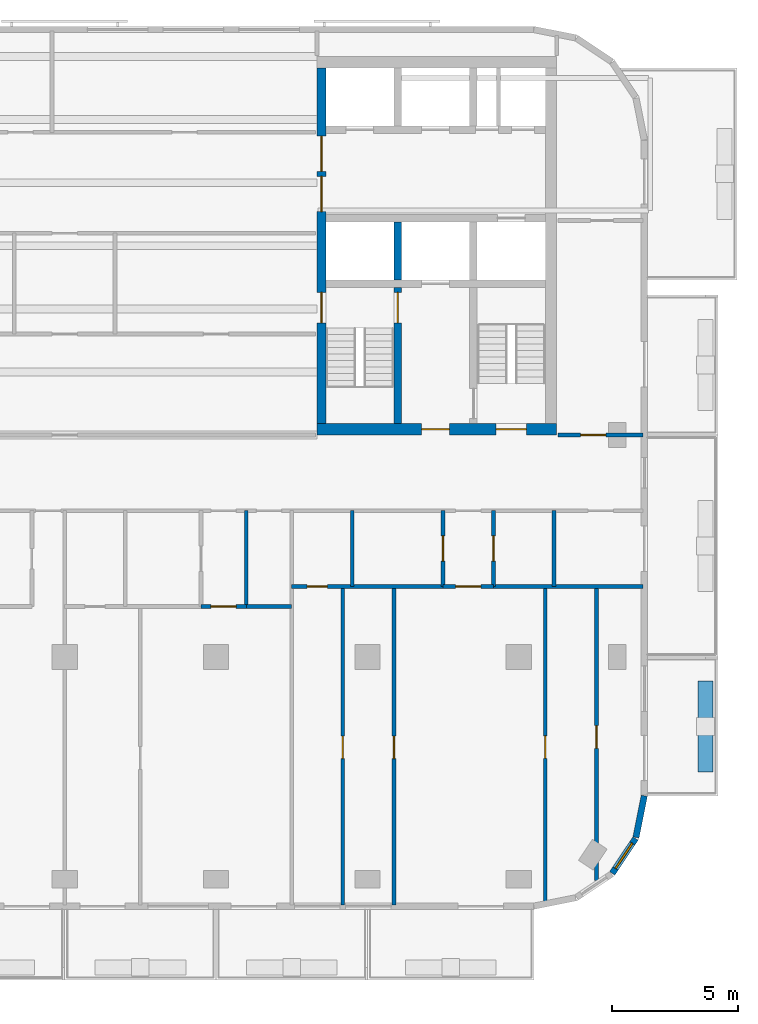
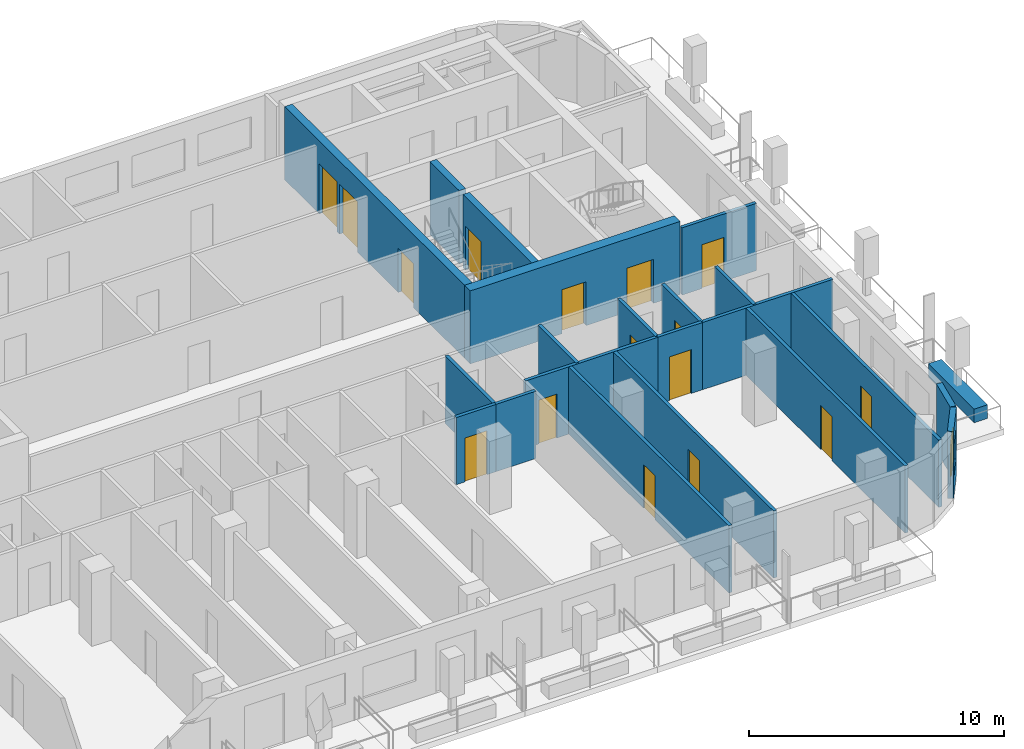
# One storey, part 5 of 11: 22 walls, 16 doors, 1 window, 17 openings.
"""IFC4 building model written with IfcOpenShell, lengths in metres."""

from ifc_helpers import new_model, si_unit, direction, frame, frame_2d, origin, place, context, subcontext, project, spatial, rectangle, extrude, material, layer, layer_set, type_object, element, fill, save


model = new_model("IFC4")

# Units and contexts
model_context = context("Model", 3, precision=1e-05, world=origin(), true_north=direction((0.0, 1.0)))
body_context = subcontext(model_context, "Body", "Model", "MODEL_VIEW")
ifc_project = project(units=[si_unit("LENGTHUNIT", "METRE"), si_unit("AREAUNIT", "SQUARE_METRE"), si_unit("VOLUMEUNIT", "CUBIC_METRE"), si_unit("PLANEANGLEUNIT", "RADIAN"), si_unit("MASSUNIT", "GRAM", prefix="KILO")], contexts=[model_context])

# Site, building, storey
site_placement = place(None, origin())
site = spatial("IfcSite", under=ifc_project, at=site_placement, CompositionType="ELEMENT")
building_placement = place(site_placement, origin())
building = spatial("IfcBuilding", under=site, at=building_placement, Name="Torana Hotel and Residences", CompositionType="ELEMENT")
storey_placement = place(building_placement, frame((0.0, 0.0, 298.10009765625)))
storey = spatial("IfcBuildingStorey", under=building, at=storey_placement, Name="L79", CompositionType="ELEMENT", Elevation=298.10009765625)

# Wall
ifc_material_1 = material(Name="Concrete C60/75", Category="concrete")
ifc_layer_1 = layer(ifc_material_1, 0.300048828125)
ifc_layer_set_1 = layer_set([ifc_layer_1], Name="CORE WALL 300 C60/75")
wall_type_1 = type_object("IfcWallType", Name="CORE WALL 300 C60/75", PredefinedType="SHEAR", material=ifc_layer_set_1)
wall_1_placement = place(storey_placement, frame((13.199951171875, -8.85009765625, 0.0), z_axis=(0.0, 0.0, 1.0), x_axis=(0.0, 1.0, 0.0)))
element("IfcWall", 1, at=wall_1_placement, inside=storey, type_object=wall_type_1, Name="Core wall E x3.05-S", PredefinedType="SHEAR", context=body_context, shape_type="SweptSolid", body=[
    extrude(rectangle(XDim=2.300048828125, YDim=0.300048828125, at=frame_2d((1.14990234375, 0.0))), origin(), (0.0, 0.0, 1.0), 3.5),
])

# Wall, opening, door
wall_2_placement = place(storey_placement, frame((13.199951171875, -14.550048828125, 0.0), z_axis=(0.0, 0.0, 1.0), x_axis=(0.0, 1.0, 0.0)))
wall_2 = element("IfcWall", 2, at=wall_2_placement, inside=storey, type_object=wall_type_1, Name="Core wall E x3.05-band", PredefinedType="SHEAR", context=body_context, shape_type="SweptSolid", body=[
    extrude(rectangle(XDim=5.400146484375, YDim=0.300048828125, at=frame_2d((2.7001953125, 0.0))), origin(), (0.0, 0.0, 1.0), 3.5),
])
opening_1_placement = place(wall_2_placement, frame((4.0, 0.0, 0.0)))
opening_1 = element("IfcOpeningElement", 3, at=opening_1_placement, cuts=wall_2, Name="Opening L79-17", PredefinedType="OPENING", context=body_context, shape_type="SweptSolid", body=[
    extrude(rectangle(XDim=1.199951171875, YDim=2.10009765625, at=frame_2d((0.60009765625, 1.050048828125))), frame((0.0, 0.159912109375, 0.0), z_axis=(0.0, -1.0, 0.0), x_axis=(1.0, 0.0, 0.0)), (0.0, 0.0, 1.0), 0.320068359375),
])
ifc_material_2 = material(Name="Steel S235", Category="steel")
door_type_1 = type_object("IfcDoorType", Name="STAIR FIRE DOOR D3 1200x2100", OperationType="SINGLE_SWING_LEFT", PredefinedType="DOOR", material=ifc_material_2)
door_1_placement = place(opening_1_placement, origin())
door_1 = element("IfcDoor", 4, at=door_1_placement, inside=storey, type_object=door_type_1, Name="Stair-A-lobby door L79", OperationType="SINGLE_SWING_LEFT", OverallHeight=2.10009765625, OverallWidth=1.199951171875, PredefinedType="DOOR", context=body_context, shape_type="SweptSolid", body=[
    extrude(rectangle(XDim=1.199951171875, YDim=2.10009765625, at=frame_2d((0.60009765625, 1.050048828125))), frame((0.0, 0.02490234375, 0.0), z_axis=(0.0, -1.0, 0.0), x_axis=(1.0, 0.0, 0.0)), (0.0, 0.0, 1.0), 0.050048828125),
])
fill(opening_1, door_1)

# Wall, openings, doors
ifc_material_3 = material(Name="Concrete C60/75", Category="concrete")
ifc_layer_2 = layer(ifc_material_3, 0.35009765625)
ifc_layer_set_2 = layer_set([ifc_layer_2], Name="CORE WALL 350 C60/75")
wall_type_2 = type_object("IfcWallType", Name="CORE WALL 350 C60/75", PredefinedType="SHEAR", material=ifc_layer_set_2)
wall_3_placement = place(storey_placement, frame((10.175048828125, -14.550048828125, 0.0), z_axis=(0.0, 0.0, 1.0), x_axis=(0.0, 1.0, 0.0)))
wall_3 = element("IfcWall", 5, at=wall_3_placement, inside=storey, type_object=wall_type_2, Name="Core wall E arch", PredefinedType="SHEAR", context=body_context, shape_type="SweptSolid", body=[
    extrude(rectangle(XDim=14.10009765625, YDim=0.35009765625, at=frame_2d((7.050048828125, 0.0))), origin(), (0.0, 0.0, 1.0), 3.5),
])
opening_2_placement = place(wall_3_placement, frame((8.39990234375, 0.0, 0.0)))
opening_2 = element("IfcOpeningElement", 6, at=opening_2_placement, cuts=wall_3, Name="Opening L79-10", PredefinedType="OPENING", context=body_context, shape_type="SweptSolid", body=[
    extrude(rectangle(XDim=1.39990234375, YDim=2.39990234375, at=frame_2d((0.699951171875, 1.199951171875))), frame((0.0, 0.18505859375, 0.0), z_axis=(0.0, -1.0, 0.0), x_axis=(1.0, 0.0, 0.0)), (0.0, 0.0, 1.0), 0.3701171875),
])
opening_3_placement = place(wall_3_placement, frame((10.0, 0.0, 0.0)))
opening_3 = element("IfcOpeningElement", 7, at=opening_3_placement, cuts=wall_3, Name="Opening L79-11", PredefinedType="OPENING", context=body_context, shape_type="SweptSolid", body=[
    extrude(rectangle(XDim=1.39990234375, YDim=2.39990234375, at=frame_2d((0.699951171875, 1.199951171875))), frame((0.0, 0.18505859375, 0.0), z_axis=(0.0, -1.0, 0.0), x_axis=(1.0, 0.0, 0.0)), (0.0, 0.0, 1.0), 0.3701171875),
])
opening_4_placement = place(wall_3_placement, frame((4.0, 0.0, 0.0)))
opening_4 = element("IfcOpeningElement", 8, at=opening_4_placement, cuts=wall_3, Name="Opening L79-12", PredefinedType="OPENING", context=body_context, shape_type="SweptSolid", body=[
    extrude(rectangle(XDim=1.199951171875, YDim=2.10009765625, at=frame_2d((0.60009765625, 1.050048828125))), frame((0.0, 0.18505859375, 0.0), z_axis=(0.0, -1.0, 0.0), x_axis=(1.0, 0.0, 0.0)), (0.0, 0.0, 1.0), 0.3701171875),
])
ifc_material_4 = material(Name="Steel S235", Category="steel")
door_type_2 = type_object("IfcDoorType", Name="LOBBY FIRE DOOR D4 1400x2400", OperationType="DOUBLE_DOOR_SINGLE_SWING", PredefinedType="DOOR", material=ifc_material_4)
door_2_placement = place(opening_2_placement, origin())
door_2 = element("IfcDoor", 9, at=door_2_placement, inside=storey, type_object=door_type_2, Name="Lobby-1 door L79", OperationType="DOUBLE_DOOR_SINGLE_SWING", OverallHeight=2.39990234375, OverallWidth=1.39990234375, PredefinedType="DOOR", context=body_context, shape_type="SweptSolid", body=[
    extrude(rectangle(XDim=1.39990234375, YDim=2.39990234375, at=frame_2d((0.699951171875, 1.199951171875))), frame((0.0, 0.02490234375, 0.0), z_axis=(0.0, -1.0, 0.0), x_axis=(1.0, 0.0, 0.0)), (0.0, 0.0, 1.0), 0.050048828125),
])
fill(opening_2, door_2)
door_3_placement = place(opening_3_placement, origin())
door_3 = element("IfcDoor", 10, at=door_3_placement, inside=storey, type_object=door_type_2, Name="Lobby-2 door L79", OperationType="DOUBLE_DOOR_SINGLE_SWING", OverallHeight=2.39990234375, OverallWidth=1.39990234375, PredefinedType="DOOR", context=body_context, shape_type="SweptSolid", body=[
    extrude(rectangle(XDim=1.39990234375, YDim=2.39990234375, at=frame_2d((0.699951171875, 1.199951171875))), frame((0.0, 0.02490234375, 0.0), z_axis=(0.0, -1.0, 0.0), x_axis=(1.0, 0.0, 0.0)), (0.0, 0.0, 1.0), 0.050048828125),
])
fill(opening_3, door_3)
door_4_placement = place(opening_4_placement, frame((0.60009765625, 0.0, 0.0), z_axis=(0.0, 0.0, 1.0), x_axis=(-1.0, 0.0, 0.0)))
door_4 = element("IfcDoor", 11, at=door_4_placement, inside=storey, type_object=door_type_1, Name="Stair-A door L79", OperationType="SINGLE_SWING_RIGHT", OverallHeight=2.10009765625, OverallWidth=1.199951171875, PredefinedType="DOOR", context=body_context, shape_type="SweptSolid", body=[
    extrude(rectangle(XDim=1.199951171875, YDim=2.10009765625, at=frame_2d((0.0, 1.050048828125))), frame((0.0, -0.02490234375, 0.0), z_axis=(0.0, 1.0, 0.0), x_axis=(-1.0, 0.0, 0.0)), (0.0, 0.0, 1.0), 0.050048828125),
])
fill(opening_4, door_4)

ifc_material_5 = material(Name="Concrete C60/75", Category="concrete")
ifc_layer_3 = layer(ifc_material_5, 0.449951171875)
ifc_layer_set_3 = layer_set([ifc_layer_3], Name="CORE WALL 450 C60/75")
wall_type_3 = type_object("IfcWallType", Name="CORE WALL 450 C60/75", PredefinedType="SHEAR", material=ifc_layer_set_3)
wall_4_placement = place(storey_placement, frame((10.0, -14.77490234375, 0.0), z_axis=(0.0, 0.0, 1.0), x_axis=(1.0, 0.0, 0.0)))
wall_4 = element("IfcWall", 12, at=wall_4_placement, inside=storey, type_object=wall_type_3, Name="Core wall E front", PredefinedType="SHEAR", context=body_context, shape_type="SweptSolid", body=[
    extrude(rectangle(XDim=9.5, YDim=0.449951171875, at=frame_2d((4.75, 0.0))), origin(), (0.0, 0.0, 1.0), 3.5),
])
opening_5_placement = place(wall_4_placement, frame((7.10009765625, 0.0, 0.0)))
opening_5 = element("IfcOpeningElement", 13, at=opening_5_placement, cuts=wall_4, Name="Opening L79-13", PredefinedType="OPENING", context=body_context, shape_type="SweptSolid", body=[
    extrude(rectangle(XDim=1.199951171875, YDim=2.10009765625, at=frame_2d((0.60009765625, 1.050048828125))), frame((0.0, 0.23486328125, 0.0), z_axis=(0.0, -1.0, 0.0), x_axis=(1.0, 0.0, 0.0)), (0.0, 0.0, 1.0), 0.469970703125),
])
opening_6_placement = place(wall_4_placement, frame((4.14990234375, 0.0, 0.0)))
opening_6 = element("IfcOpeningElement", 14, at=opening_6_placement, cuts=wall_4, Name="Opening L79-14", PredefinedType="OPENING", context=body_context, shape_type="SweptSolid", body=[
    extrude(rectangle(XDim=1.10009765625, YDim=2.10009765625, at=frame_2d((0.550048828125, 1.050048828125))), frame((0.0, 0.23486328125, 0.0), z_axis=(0.0, -1.0, 0.0), x_axis=(1.0, 0.0, 0.0)), (0.0, 0.0, 1.0), 0.469970703125),
])
ifc_material_6 = material(Name="Steel S235", Category="steel")
door_type_3 = type_object("IfcDoorType", Name="FIRE-FIGHTING LOBBY DOOR D8 1100x2100", OperationType="SINGLE_SWING_LEFT", PredefinedType="DOOR", material=ifc_material_6)
door_5_placement = place(opening_6_placement, origin())
door_5 = element("IfcDoor", 15, at=door_5_placement, inside=storey, type_object=door_type_3, Name="FF-lobby door L79", OperationType="SINGLE_SWING_RIGHT", OverallHeight=2.10009765625, OverallWidth=1.10009765625, PredefinedType="DOOR", context=body_context, shape_type="SweptSolid", body=[
    extrude(rectangle(XDim=1.10009765625, YDim=2.10009765625, at=frame_2d((0.550048828125, 1.050048828125))), frame((0.0, 0.02490234375, 0.0), z_axis=(0.0, -1.0, 0.0), x_axis=(1.0, 0.0, 0.0)), (0.0, 0.0, 1.0), 0.050048828125),
])
fill(opening_6, door_5)
door_6_placement = place(opening_5_placement, origin())
door_6 = element("IfcDoor", 16, at=door_6_placement, inside=storey, type_object=door_type_1, Name="Stair-B door L79", OperationType="SINGLE_SWING_RIGHT", OverallHeight=2.10009765625, OverallWidth=1.199951171875, PredefinedType="DOOR", context=body_context, shape_type="SweptSolid", body=[
    extrude(rectangle(XDim=1.199951171875, YDim=2.10009765625, at=frame_2d((0.60009765625, 1.050048828125))), frame((0.0, 0.02490234375, 0.0), z_axis=(0.0, -1.0, 0.0), x_axis=(1.0, 0.0, 0.0)), (0.0, 0.0, 1.0), 0.050048828125),
])
fill(opening_5, door_6)

# Wall, opening, window
ifc_material_7 = material(Name="Black aluminium composite panel", Category="aluminium")
ifc_layer_4 = layer(ifc_material_7, 0.00390625, Name="Cladding", Category="cladding")
ifc_material_8 = material(Name="Ventilated air cavity")
ifc_layer_5 = layer(ifc_material_8, 0.0400390625, Name="Ventilated cavity", Category="cavity")
ifc_material_9 = material(Name="Mineral wool insulation")
ifc_layer_6 = layer(ifc_material_9, 0.090087890625, Name="Insulation", Category="insulation")
ifc_material_10 = material(Name="Steel S280GD", Category="steel")
ifc_layer_7 = layer(ifc_material_10, 0.092041015625, Name="Steel stud frame", Category="structure")
ifc_material_11 = material(Name="Fire rated plasterboard")
ifc_layer_8 = layer(ifc_material_11, 0.011962890625, Name="Inner board", Category="finish")
ifc_layer_9 = layer(ifc_material_11, 0.011962890625, Name="Second board", Category="finish")
ifc_layer_set_4 = layer_set([ifc_layer_4, ifc_layer_5, ifc_layer_6, ifc_layer_7, ifc_layer_8, ifc_layer_9], Name="EW1 EXTERNAL WALL BLACK METAL CLAD 250")
wall_type_4 = type_object("IfcWallType", Name="EW1 EXTERNAL WALL BLACK METAL CLAD 250", PredefinedType="SOLIDWALL", material=ifc_layer_set_4)
wall_5_placement = place(storey_placement, frame((21.705810546875, -32.37109375, 0.0), z_axis=(0.0, 0.0, 1.0), x_axis=(0.55555029066, 0.831482937015, 0.0)))
wall_5 = element("IfcWall", 17, at=wall_5_placement, inside=storey, type_object=wall_type_4, Name="External wall L79 e0.17", PredefinedType="SOLIDWALL", context=body_context, shape_type="SweptSolid", body=[
    extrude(rectangle(XDim=1.65625, YDim=0.25, at=frame_2d((0.828125, 0.0))), origin(), (0.0, 0.0, 1.0), 3.219970703125),
])
opening_7_placement = place(wall_5_placement, frame((0.228271484375, 0.0, 0.89990234375)))
opening_7 = element("IfcOpeningElement", 18, at=opening_7_placement, cuts=wall_5, Name="Opening W5", PredefinedType="OPENING", context=body_context, shape_type="SweptSolid", body=[
    extrude(rectangle(XDim=1.199951171875, YDim=1.5, at=frame_2d((0.60009765625, 0.75))), frame((0.0, 0.135009765625, 0.0), z_axis=(0.0, -1.0, 0.0), x_axis=(1.0, 0.0, 0.0)), (0.0, 0.0, 1.0), 0.27001953125),
])
ifc_material_12 = material(Name="Dark glass in black aluminium frame", Category="aluminium")
window_type = type_object("IfcWindowType", Name="W5 CORNER FACET WINDOW 1200x1500", PartitioningType="SINGLE_PANEL", PredefinedType="WINDOW", material=ifc_material_12)
window_placement = place(opening_7_placement, origin())
window = element("IfcWindow", 19, at=window_placement, inside=storey, type_object=window_type, Name="Window L79 e0.17", OverallHeight=1.5, OverallWidth=1.199951171875, PartitioningType="SINGLE_PANEL", PredefinedType="WINDOW", context=body_context, shape_type="SweptSolid", body=[
    extrude(rectangle(XDim=1.199951171875, YDim=1.5, at=frame_2d((0.60009765625, 0.75))), frame((0.0, 0.030029296875, 0.0), z_axis=(0.0, -1.0, 0.0), x_axis=(1.0, 0.0, 0.0)), (0.0, 0.0, 1.0), 0.06005859375),
])
fill(opening_7, window)

# Wall
wall_6_placement = place(storey_placement, frame((22.64453125, -30.948974609375, 0.0), z_axis=(0.0, 0.0, 1.0), x_axis=(0.19513878023, 0.980775640221, 0.0)))
element("IfcWall", 20, at=wall_6_placement, inside=storey, type_object=wall_type_4, Name="External wall L79 e0.18", PredefinedType="SOLIDWALL", context=body_context, shape_type="SweptSolid", body=[
    extrude(rectangle(XDim=1.681396484375, YDim=0.25, at=frame_2d((0.8408203125, 0.0))), origin(), (0.0, 0.0, 1.0), 3.219970703125),
])

# Wall, opening, door
ifc_material_13 = material(Name="Gypsum plaster")
ifc_layer_10 = layer(ifc_material_13, 0.014892578125, Name="Plaster", Category="finish")
ifc_material_14 = material(Name="Concrete blockwork", Category="masonry")
ifc_layer_11 = layer(ifc_material_14, 0.1201171875, Name="Blockwork", Category="structure")
ifc_layer_12 = layer(ifc_material_13, 0.014892578125, Name="Plaster", Category="finish")
ifc_layer_set_5 = layer_set([ifc_layer_10, ifc_layer_11, ifc_layer_12], Name="FIRE PARTITION 150 BLOCKWORK")
wall_type_5 = type_object("IfcWallType", Name="FIRE PARTITION 150 BLOCKWORK", PredefinedType="PARTITIONING", material=ifc_layer_set_5)
wall_7_placement = place(storey_placement, frame((17.0, -21.0, 0.0), z_axis=(0.0, 0.0, 1.0), x_axis=(0.0, 1.0, 0.0)))
wall_7 = element("IfcWall", 21, at=wall_7_placement, inside=storey, type_object=wall_type_5, Name="Partition L79", PredefinedType="PARTITIONING", context=body_context, shape_type="SweptSolid", body=[
    extrude(rectangle(XDim=3.0, YDim=0.14990234375, at=frame_2d((1.5, 0.0))), origin(), (0.0, 0.0, 1.0), 3.219970703125),
])
opening_8_placement = place(wall_7_placement, frame((1.0, 0.0, 0.0)))
opening_8 = element("IfcOpeningElement", 22, at=opening_8_placement, cuts=wall_7, Name="Opening L79-54", PredefinedType="OPENING", context=body_context, shape_type="SweptSolid", body=[
    extrude(rectangle(XDim=1.0, YDim=2.10009765625, at=frame_2d((0.5, 1.050048828125))), frame((0.0, 0.0849609375, 0.0), z_axis=(0.0, -1.0, 0.0), x_axis=(1.0, 0.0, 0.0)), (0.0, 0.0, 1.0), 0.169921875),
])
ifc_material_15 = material(Name="Steel S235", Category="steel")
door_type_4 = type_object("IfcDoorType", Name="ENTRY FIRE DOOR D6 1000x2100", OperationType="SINGLE_SWING_LEFT", PredefinedType="DOOR", material=ifc_material_15)
door_7_placement = place(opening_8_placement, frame((0.5, 0.0, 0.0), z_axis=(0.0, 0.0, 1.0), x_axis=(-1.0, 0.0, 0.0)))
door_7 = element("IfcDoor", 23, at=door_7_placement, inside=storey, type_object=door_type_4, Name="Door L79", OperationType="SINGLE_SWING_LEFT", OverallHeight=2.10009765625, OverallWidth=1.0, PredefinedType="DOOR", context=body_context, shape_type="SweptSolid", body=[
    extrude(rectangle(XDim=1.0, YDim=2.10009765625, at=frame_2d((0.0, 1.050048828125))), frame((0.0, -0.02490234375, 0.0), z_axis=(0.0, 1.0, 0.0), x_axis=(-1.0, 0.0, 0.0)), (0.0, 0.0, 1.0), 0.050048828125),
])
fill(opening_8, door_7)

wall_8_placement = place(storey_placement, frame((15.0, -21.0, 0.0), z_axis=(0.0, 0.0, 1.0), x_axis=(0.0, 1.0, 0.0)))
wall_8 = element("IfcWall", 24, at=wall_8_placement, inside=storey, type_object=wall_type_5, Name="Partition L79", PredefinedType="PARTITIONING", context=body_context, shape_type="SweptSolid", body=[
    extrude(rectangle(XDim=3.0, YDim=0.14990234375, at=frame_2d((1.5, 0.0))), origin(), (0.0, 0.0, 1.0), 3.219970703125),
])
opening_9_placement = place(wall_8_placement, frame((1.0, 0.0, 0.0)))
opening_9 = element("IfcOpeningElement", 25, at=opening_9_placement, cuts=wall_8, Name="Opening L79-53", PredefinedType="OPENING", context=body_context, shape_type="SweptSolid", body=[
    extrude(rectangle(XDim=1.0, YDim=2.10009765625, at=frame_2d((0.5, 1.050048828125))), frame((0.0, 0.0849609375, 0.0), z_axis=(0.0, -1.0, 0.0), x_axis=(1.0, 0.0, 0.0)), (0.0, 0.0, 1.0), 0.169921875),
])
door_8_placement = place(opening_9_placement, origin())
door_8 = element("IfcDoor", 26, at=door_8_placement, inside=storey, type_object=door_type_4, Name="Door L79", OperationType="SINGLE_SWING_RIGHT", OverallHeight=2.10009765625, OverallWidth=1.0, PredefinedType="DOOR", context=body_context, shape_type="SweptSolid", body=[
    extrude(rectangle(XDim=1.0, YDim=2.10009765625, at=frame_2d((0.5, 1.050048828125))), frame((0.0, 0.02490234375, 0.0), z_axis=(0.0, -1.0, 0.0), x_axis=(1.0, 0.0, 0.0)), (0.0, 0.0, 1.0), 0.050048828125),
])
fill(opening_9, door_8)

# Wall
wall_9_placement = place(storey_placement, frame((7.199951171875, -21.800048828125, 0.0), z_axis=(0.0, 0.0, 1.0), x_axis=(0.0, 1.0, 0.0)))
element("IfcWall", 27, at=wall_9_placement, inside=storey, type_object=wall_type_5, Name="Partition L79", PredefinedType="PARTITIONING", context=body_context, shape_type="SweptSolid", body=[
    extrude(rectangle(XDim=3.800048828125, YDim=0.14990234375, at=frame_2d((1.89990234375, 0.0))), origin(), (0.0, 0.0, 1.0), 3.219970703125),
])

# Wall, opening, door
wall_10_placement = place(storey_placement, frame((5.39990234375, -21.800048828125, 0.0), z_axis=(0.0, 0.0, 1.0), x_axis=(1.0, 0.0, 0.0)))
wall_10 = element("IfcWall", 28, at=wall_10_placement, inside=storey, type_object=wall_type_5, Name="Partition L79", PredefinedType="PARTITIONING", context=body_context, shape_type="SweptSolid", body=[
    extrude(rectangle(XDim=1.800048828125, YDim=0.14990234375, at=frame_2d((0.89990234375, 0.0))), origin(), (0.0, 0.0, 1.0), 3.219970703125),
])
opening_10_placement = place(wall_10_placement, frame((0.39990234375, 0.0, 0.0)))
opening_10 = element("IfcOpeningElement", 29, at=opening_10_placement, cuts=wall_10, Name="Opening L79-42", PredefinedType="OPENING", context=body_context, shape_type="SweptSolid", body=[
    extrude(rectangle(XDim=1.0, YDim=2.10009765625, at=frame_2d((0.5, 1.050048828125))), frame((0.0, 0.0849609375, 0.0), z_axis=(0.0, -1.0, 0.0), x_axis=(1.0, 0.0, 0.0)), (0.0, 0.0, 1.0), 0.169921875),
])
door_9_placement = place(opening_10_placement, frame((0.5, 0.0, 0.0), z_axis=(0.0, 0.0, 1.0), x_axis=(-1.0, 0.0, 0.0)))
door_9 = element("IfcDoor", 30, at=door_9_placement, inside=storey, type_object=door_type_4, Name="Door L79", OperationType="SINGLE_SWING_LEFT", OverallHeight=2.10009765625, OverallWidth=1.0, PredefinedType="DOOR", context=body_context, shape_type="SweptSolid", body=[
    extrude(rectangle(XDim=1.0, YDim=2.10009765625, at=frame_2d((0.0, 1.050048828125))), frame((0.0, -0.02490234375, 0.0), z_axis=(0.0, 1.0, 0.0), x_axis=(-1.0, 0.0, 0.0)), (0.0, 0.0, 1.0), 0.050048828125),
])
fill(opening_10, door_9)

wall_11_placement = place(storey_placement, frame((15.0, -21.0, 0.0), z_axis=(0.0, 0.0, 1.0), x_axis=(1.0, 0.0, 0.0)))
wall_11 = element("IfcWall", 31, at=wall_11_placement, inside=storey, type_object=wall_type_5, Name="Partition L79", PredefinedType="PARTITIONING", context=body_context, shape_type="SweptSolid", body=[
    extrude(rectangle(XDim=2.0, YDim=0.14990234375, at=frame_2d((1.0, 0.0))), origin(), (0.0, 0.0, 1.0), 3.219970703125),
])
opening_11_placement = place(wall_11_placement, frame((0.5, 0.0, 0.0)))
opening_11 = element("IfcOpeningElement", 32, at=opening_11_placement, cuts=wall_11, Name="Opening L79-55", PredefinedType="OPENING", context=body_context, shape_type="SweptSolid", body=[
    extrude(rectangle(XDim=1.0, YDim=2.10009765625, at=frame_2d((0.5, 1.050048828125))), frame((0.0, 0.0849609375, 0.0), z_axis=(0.0, -1.0, 0.0), x_axis=(1.0, 0.0, 0.0)), (0.0, 0.0, 1.0), 0.169921875),
])
door_10_placement = place(opening_11_placement, frame((0.5, 0.0, 0.0), z_axis=(0.0, 0.0, 1.0), x_axis=(-1.0, 0.0, 0.0)))
door_10 = element("IfcDoor", 33, at=door_10_placement, inside=storey, type_object=door_type_4, Name="Door L79", OperationType="SINGLE_SWING_LEFT", OverallHeight=2.10009765625, OverallWidth=1.0, PredefinedType="DOOR", context=body_context, shape_type="SweptSolid", body=[
    extrude(rectangle(XDim=1.0, YDim=2.10009765625, at=frame_2d((0.0, 1.050048828125))), frame((0.0, -0.02490234375, 0.0), z_axis=(0.0, 1.0, 0.0), x_axis=(-1.0, 0.0, 0.0)), (0.0, 0.0, 1.0), 0.050048828125),
])
fill(opening_11, door_10)

wall_12_placement = place(storey_placement, frame((19.550048828125, -15.0, 0.0), z_axis=(0.0, 0.0, 1.0), x_axis=(1.0, 0.0, 0.0)))
wall_12 = element("IfcWall", 34, at=wall_12_placement, inside=storey, type_object=wall_type_5, Name="Partition L79", PredefinedType="PARTITIONING", context=body_context, shape_type="SweptSolid", body=[
    extrude(rectangle(XDim=3.369873046875, YDim=0.14990234375, at=frame_2d((1.68505859375, 0.0))), origin(), (0.0, 0.0, 1.0), 3.219970703125),
])
opening_12_placement = place(wall_12_placement, frame((0.89990234375, 0.0, 0.0)))
opening_12 = element("IfcOpeningElement", 35, at=opening_12_placement, cuts=wall_12, Name="Opening L79-29", PredefinedType="OPENING", context=body_context, shape_type="SweptSolid", body=[
    extrude(rectangle(XDim=1.0, YDim=2.10009765625, at=frame_2d((0.5, 1.050048828125))), frame((0.0, 0.0849609375, 0.0), z_axis=(0.0, -1.0, 0.0), x_axis=(1.0, 0.0, 0.0)), (0.0, 0.0, 1.0), 0.169921875),
])
ifc_material_16 = material(Name="Steel S235", Category="steel")
door_type_5 = type_object("IfcDoorType", Name="CORE ROOM FIRE DOOR D14 1000x2100", OperationType="SINGLE_SWING_LEFT", PredefinedType="DOOR", material=ifc_material_16)
door_11_placement = place(opening_12_placement, origin())
door_11 = element("IfcDoor", 36, at=door_11_placement, inside=storey, type_object=door_type_5, Name="Door L79", OperationType="SINGLE_SWING_LEFT", OverallHeight=2.10009765625, OverallWidth=1.0, PredefinedType="DOOR", context=body_context, shape_type="SweptSolid", body=[
    extrude(rectangle(XDim=1.0, YDim=2.10009765625, at=frame_2d((0.5, 1.050048828125))), frame((0.0, 0.02490234375, 0.0), z_axis=(0.0, -1.0, 0.0), x_axis=(1.0, 0.0, 0.0)), (0.0, 0.0, 1.0), 0.050048828125),
])
fill(opening_12, door_11)

ifc_material_17 = material(Name="Gypsum plasterboard")
ifc_layer_13 = layer(ifc_material_17, 0.012451171875, Name="Plasterboard", Category="finish")
ifc_layer_14 = layer(ifc_material_17, 0.012451171875, Name="Plasterboard", Category="finish")
ifc_layer_15 = layer(ifc_material_10, 0.10009765625, Name="Steel studs with mineral wool", Category="insulation")
ifc_layer_16 = layer(ifc_material_17, 0.012451171875, Name="Plasterboard", Category="finish")
ifc_layer_17 = layer(ifc_material_17, 0.012451171875, Name="Plasterboard", Category="finish")
ifc_layer_set_6 = layer_set([ifc_layer_13, ifc_layer_14, ifc_layer_15, ifc_layer_16, ifc_layer_17], Name="PARTITION 150 PLASTERBOARD")
wall_type_6 = type_object("IfcWallType", Name="PARTITION 150 PLASTERBOARD", PredefinedType="PARTITIONING", material=ifc_layer_set_6)
wall_13_placement = place(storey_placement, frame((21.074951171875, -32.665771484375, 0.0), z_axis=(0.0, 0.0, 1.0), x_axis=(0.0, 1.0, 0.0)))
wall_13 = element("IfcWall", 37, at=wall_13_placement, inside=storey, type_object=wall_type_6, Name="Partition L79", PredefinedType="PARTITIONING", context=body_context, shape_type="SweptSolid", body=[
    extrude(rectangle(XDim=11.665771484375, YDim=0.14990234375, at=frame_2d((5.8330078125, 0.0))), origin(), (0.0, 0.0, 1.0), 3.219970703125),
])
opening_13_placement = place(wall_13_placement, frame((5.245849609375, 0.0, 0.0)))
opening_13 = element("IfcOpeningElement", 38, at=opening_13_placement, cuts=wall_13, Name="Opening L79-59", PredefinedType="OPENING", context=body_context, shape_type="SweptSolid", body=[
    extrude(rectangle(XDim=0.89990234375, YDim=2.10009765625, at=frame_2d((0.449951171875, 1.050048828125))), frame((0.0, 0.0849609375, 0.0), z_axis=(0.0, -1.0, 0.0), x_axis=(1.0, 0.0, 0.0)), (0.0, 0.0, 1.0), 0.169921875),
])
ifc_material_18 = material(Name="Timber door, oiled ash", Category="wood")
door_type_6 = type_object("IfcDoorType", Name="ROOM DOOR D7 900x2100", OperationType="SINGLE_SWING_LEFT", PredefinedType="DOOR", material=ifc_material_18)
door_12_placement = place(opening_13_placement, origin())
door_12 = element("IfcDoor", 39, at=door_12_placement, inside=storey, type_object=door_type_6, Name="Door L79", OperationType="SINGLE_SWING_RIGHT", OverallHeight=2.10009765625, OverallWidth=0.89990234375, PredefinedType="DOOR", context=body_context, shape_type="SweptSolid", body=[
    extrude(rectangle(XDim=0.89990234375, YDim=2.10009765625, at=frame_2d((0.449951171875, 1.050048828125))), frame((0.0, 0.02490234375, 0.0), z_axis=(0.0, -1.0, 0.0), x_axis=(1.0, 0.0, 0.0)), (0.0, 0.0, 1.0), 0.050048828125),
])
fill(opening_13, door_12)

# Wall
wall_14_placement = place(storey_placement, frame((19.39990234375, -21.0, 0.0), z_axis=(0.0, 0.0, 1.0), x_axis=(0.0, 1.0, 0.0)))
element("IfcWall", 40, at=wall_14_placement, inside=storey, type_object=wall_type_6, Name="Partition L79", PredefinedType="PARTITIONING", context=body_context, shape_type="SweptSolid", body=[
    extrude(rectangle(XDim=3.0, YDim=0.14990234375, at=frame_2d((1.5, 0.0))), origin(), (0.0, 0.0, 1.0), 3.219970703125),
])

# Wall, opening, door
wall_15_placement = place(storey_placement, frame((19.050048828125, -33.527099609375, 0.0), z_axis=(0.0, 0.0, 1.0), x_axis=(0.0, 1.0, 0.0)))
wall_15 = element("IfcWall", 41, at=wall_15_placement, inside=storey, type_object=wall_type_6, Name="Partition L79", PredefinedType="PARTITIONING", context=body_context, shape_type="SweptSolid", body=[
    extrude(rectangle(XDim=12.527099609375, YDim=0.14990234375, at=frame_2d((6.263671875, 0.0))), origin(), (0.0, 0.0, 1.0), 3.219970703125),
])
opening_14_placement = place(wall_15_placement, frame((5.70703125, 0.0, 0.0)))
opening_14 = element("IfcOpeningElement", 42, at=opening_14_placement, cuts=wall_15, Name="Opening L79-57", PredefinedType="OPENING", context=body_context, shape_type="SweptSolid", body=[
    extrude(rectangle(XDim=0.89990234375, YDim=2.10009765625, at=frame_2d((0.449951171875, 1.050048828125))), frame((0.0, 0.0849609375, 0.0), z_axis=(0.0, -1.0, 0.0), x_axis=(1.0, 0.0, 0.0)), (0.0, 0.0, 1.0), 0.169921875),
])
door_13_placement = place(opening_14_placement, origin())
door_13 = element("IfcDoor", 43, at=door_13_placement, inside=storey, type_object=door_type_6, Name="Door L79", OperationType="SINGLE_SWING_RIGHT", OverallHeight=2.10009765625, OverallWidth=0.89990234375, PredefinedType="DOOR", context=body_context, shape_type="SweptSolid", body=[
    extrude(rectangle(XDim=0.89990234375, YDim=2.10009765625, at=frame_2d((0.449951171875, 1.050048828125))), frame((0.0, 0.02490234375, 0.0), z_axis=(0.0, -1.0, 0.0), x_axis=(1.0, 0.0, 0.0)), (0.0, 0.0, 1.0), 0.050048828125),
])
fill(opening_14, door_13)

wall_16_placement = place(storey_placement, frame((13.050048828125, -33.6201171875, 0.0), z_axis=(0.0, 0.0, 1.0), x_axis=(0.0, 1.0, 0.0)))
wall_16 = element("IfcWall", 44, at=wall_16_placement, inside=storey, type_object=wall_type_6, Name="Partition L79", PredefinedType="PARTITIONING", context=body_context, shape_type="SweptSolid", body=[
    extrude(rectangle(XDim=12.6201171875, YDim=0.14990234375, at=frame_2d((6.31005859375, 0.0))), origin(), (0.0, 0.0, 1.0), 3.219970703125),
])
opening_15_placement = place(wall_16_placement, frame((5.7900390625, 0.0, 0.0)))
opening_15 = element("IfcOpeningElement", 45, at=opening_15_placement, cuts=wall_16, Name="Opening L79-56", PredefinedType="OPENING", context=body_context, shape_type="SweptSolid", body=[
    extrude(rectangle(XDim=0.89990234375, YDim=2.10009765625, at=frame_2d((0.449951171875, 1.050048828125))), frame((0.0, 0.0849609375, 0.0), z_axis=(0.0, -1.0, 0.0), x_axis=(1.0, 0.0, 0.0)), (0.0, 0.0, 1.0), 0.169921875),
])
door_14_placement = place(opening_15_placement, origin())
door_14 = element("IfcDoor", 46, at=door_14_placement, inside=storey, type_object=door_type_6, Name="Door L79", OperationType="SINGLE_SWING_RIGHT", OverallHeight=2.10009765625, OverallWidth=0.89990234375, PredefinedType="DOOR", context=body_context, shape_type="SweptSolid", body=[
    extrude(rectangle(XDim=0.89990234375, YDim=2.10009765625, at=frame_2d((0.449951171875, 1.050048828125))), frame((0.0, 0.02490234375, 0.0), z_axis=(0.0, -1.0, 0.0), x_axis=(1.0, 0.0, 0.0)), (0.0, 0.0, 1.0), 0.050048828125),
])
fill(opening_15, door_14)

# Wall
wall_17_placement = place(storey_placement, frame((11.39990234375, -21.0, 0.0), z_axis=(0.0, 0.0, 1.0), x_axis=(0.0, 1.0, 0.0)))
element("IfcWall", 47, at=wall_17_placement, inside=storey, type_object=wall_type_6, Name="Partition L79", PredefinedType="PARTITIONING", context=body_context, shape_type="SweptSolid", body=[
    extrude(rectangle(XDim=3.0, YDim=0.14990234375, at=frame_2d((1.5, 0.0))), origin(), (0.0, 0.0, 1.0), 3.219970703125),
])

# Wall, opening, door
wall_18_placement = place(storey_placement, frame((11.02490234375, -33.6201171875, 0.0), z_axis=(0.0, 0.0, 1.0), x_axis=(0.0, 1.0, 0.0)))
wall_18 = element("IfcWall", 48, at=wall_18_placement, inside=storey, type_object=wall_type_6, Name="Partition L79", PredefinedType="PARTITIONING", context=body_context, shape_type="SweptSolid", body=[
    extrude(rectangle(XDim=12.6201171875, YDim=0.14990234375, at=frame_2d((6.31005859375, 0.0))), origin(), (0.0, 0.0, 1.0), 3.219970703125),
])
opening_16_placement = place(wall_18_placement, frame((5.7900390625, 0.0, 0.0)))
opening_16 = element("IfcOpeningElement", 49, at=opening_16_placement, cuts=wall_18, Name="Opening L79-58", PredefinedType="OPENING", context=body_context, shape_type="SweptSolid", body=[
    extrude(rectangle(XDim=0.89990234375, YDim=2.10009765625, at=frame_2d((0.449951171875, 1.050048828125))), frame((0.0, 0.0849609375, 0.0), z_axis=(0.0, -1.0, 0.0), x_axis=(1.0, 0.0, 0.0)), (0.0, 0.0, 1.0), 0.169921875),
])
door_15_placement = place(opening_16_placement, origin())
door_15 = element("IfcDoor", 50, at=door_15_placement, inside=storey, type_object=door_type_6, Name="Door L79", OperationType="SINGLE_SWING_RIGHT", OverallHeight=2.10009765625, OverallWidth=0.89990234375, PredefinedType="DOOR", context=body_context, shape_type="SweptSolid", body=[
    extrude(rectangle(XDim=0.89990234375, YDim=2.10009765625, at=frame_2d((0.449951171875, 1.050048828125))), frame((0.0, 0.02490234375, 0.0), z_axis=(0.0, -1.0, 0.0), x_axis=(1.0, 0.0, 0.0)), (0.0, 0.0, 1.0), 0.050048828125),
])
fill(opening_16, door_15)

# Wall
wall_19_placement = place(storey_placement, frame((7.199951171875, -21.800048828125, 0.0), z_axis=(0.0, 0.0, 1.0), x_axis=(1.0, 0.0, 0.0)))
element("IfcWall", 51, at=wall_19_placement, inside=storey, type_object=wall_type_6, Name="Partition L79", PredefinedType="PARTITIONING", context=body_context, shape_type="SweptSolid", body=[
    extrude(rectangle(XDim=1.800048828125, YDim=0.14990234375, at=frame_2d((0.89990234375, 0.0))), origin(), (0.0, 0.0, 1.0), 3.219970703125),
])

# Wall, opening, door
wall_20_placement = place(storey_placement, frame((9.0, -21.0, 0.0), z_axis=(0.0, 0.0, 1.0), x_axis=(1.0, 0.0, 0.0)))
wall_20 = element("IfcWall", 52, at=wall_20_placement, inside=storey, type_object=wall_type_6, Name="Partition L79", PredefinedType="PARTITIONING", context=body_context, shape_type="SweptSolid", body=[
    extrude(rectangle(XDim=6.0, YDim=0.14990234375, at=frame_2d((3.0, 0.0))), origin(), (0.0, 0.0, 1.0), 3.219970703125),
])
opening_17_placement = place(wall_20_placement, frame((0.612060546875, 0.0, 0.0)))
opening_17 = element("IfcOpeningElement", 53, at=opening_17_placement, cuts=wall_20, Name="Opening L79-52", PredefinedType="OPENING", context=body_context, shape_type="SweptSolid", body=[
    extrude(rectangle(XDim=0.800048828125, YDim=2.10009765625, at=frame_2d((0.39990234375, 1.050048828125))), frame((0.0, 0.0849609375, 0.0), z_axis=(0.0, -1.0, 0.0), x_axis=(1.0, 0.0, 0.0)), (0.0, 0.0, 1.0), 0.169921875),
])
ifc_material_19 = material(Name="Timber door, painted", Category="wood")
door_type_7 = type_object("IfcDoorType", Name="BATH DOOR D13 800x2100", OperationType="SINGLE_SWING_LEFT", PredefinedType="DOOR", material=ifc_material_19)
door_16_placement = place(opening_17_placement, origin())
door_16 = element("IfcDoor", 54, at=door_16_placement, inside=storey, type_object=door_type_7, Name="Door L79", OperationType="SINGLE_SWING_RIGHT", OverallHeight=2.10009765625, OverallWidth=0.800048828125, PredefinedType="DOOR", context=body_context, shape_type="SweptSolid", body=[
    extrude(rectangle(XDim=0.800048828125, YDim=2.10009765625, at=frame_2d((0.39990234375, 1.050048828125))), frame((0.0, 0.02490234375, 0.0), z_axis=(0.0, -1.0, 0.0), x_axis=(1.0, 0.0, 0.0)), (0.0, 0.0, 1.0), 0.050048828125),
])
fill(opening_17, door_16)

# Walls
wall_21_placement = place(storey_placement, frame((17.0, -21.0, 0.0), z_axis=(0.0, 0.0, 1.0), x_axis=(1.0, 0.0, 0.0)))
element("IfcWall", 55, at=wall_21_placement, inside=storey, type_object=wall_type_6, Name="Partition L79", PredefinedType="PARTITIONING", context=body_context, shape_type="SweptSolid", body=[
    extrude(rectangle(XDim=5.919921875, YDim=0.14990234375, at=frame_2d((2.9599609375, 0.0))), origin(), (0.0, 0.0, 1.0), 3.219970703125),
])
ifc_material_20 = material(Name="Concrete C40/50 precast", Category="concrete")
ifc_layer_18 = layer(ifc_material_20, 0.10009765625, Name="Planter shell", Category="structure")
ifc_material_21 = material(Name="Root resistant membrane")
ifc_layer_19 = layer(ifc_material_21, 0.00390625, Name="Waterproofing membrane", Category="membrane")
ifc_material_22 = material(Name="Drainage board with filter fleece")
ifc_layer_20 = layer(ifc_material_22, 0.02001953125, Name="Drainage board", Category="drainage")
ifc_material_23 = material(Name="Growing medium")
ifc_layer_21 = layer(ifc_material_23, 0.47607421875, Name="Planting substrate", Category="soil")
ifc_layer_set_7 = layer_set([ifc_layer_18, ifc_layer_19, ifc_layer_20, ifc_layer_21], Name="PL1 BALCONY PLANTER 600")
wall_type_7 = type_object("IfcWallType", Name="PL1 BALCONY PLANTER 600", PredefinedType="USERDEFINED", material=ifc_layer_set_7)
wall_22_placement = place(storey_placement, frame((25.39990234375, -24.75, 0.0), z_axis=(0.0, 0.0, 1.0), x_axis=(0.0, -1.0, 0.0)))
element("IfcWall", 56, at=wall_22_placement, inside=storey, type_object=wall_type_7, Name="Planter 11", ObjectType="PLANTER", PredefinedType="USERDEFINED", context=body_context, shape_type="SweptSolid", body=[
    extrude(rectangle(XDim=3.60009765625, YDim=0.60009765625, at=frame_2d((1.800048828125, 0.0))), origin(), (0.0, 0.0, 1.0), 0.64990234375),
])

save(model, "model.ifc")
